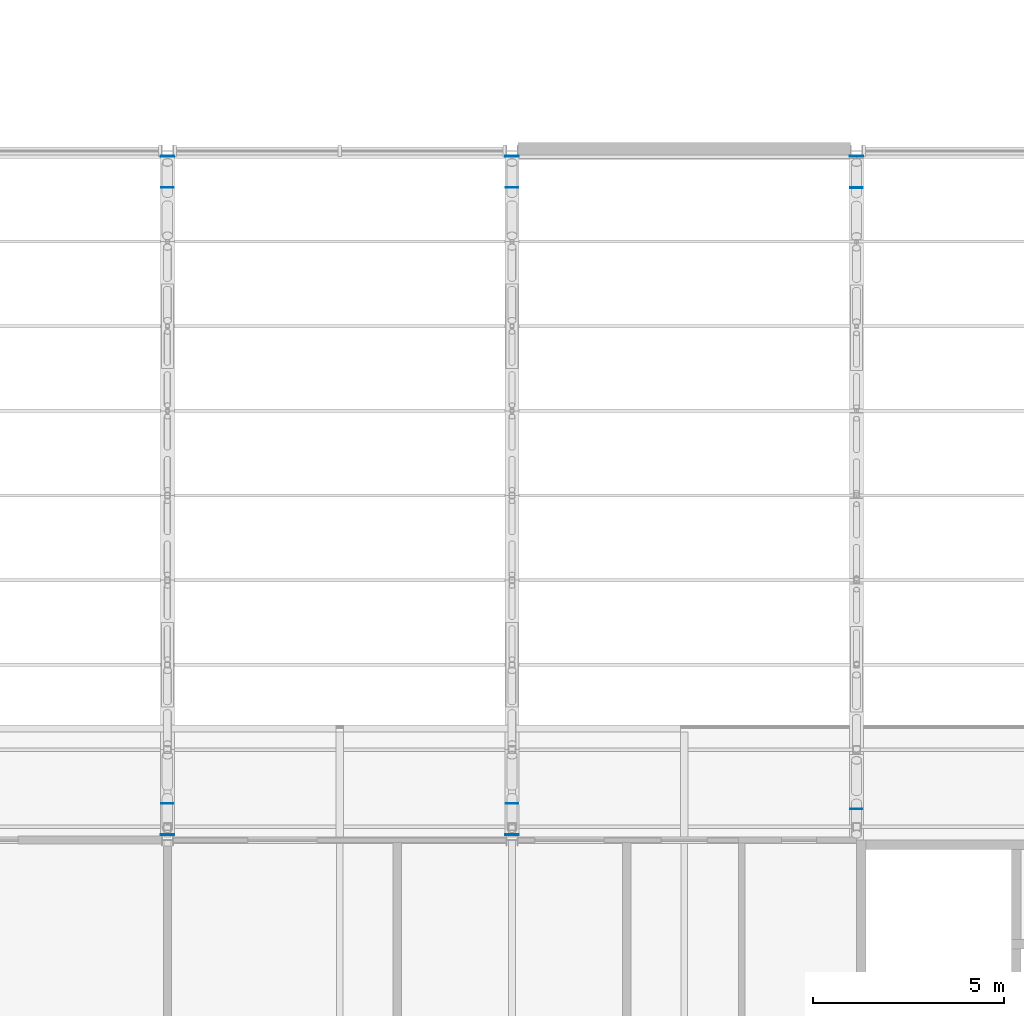
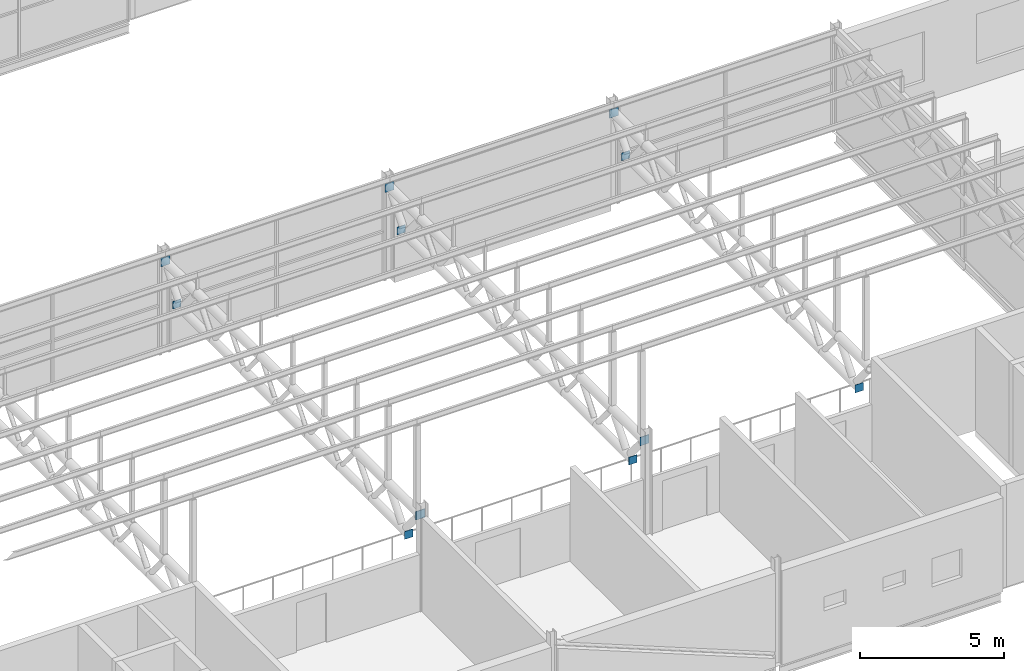
# One storey, part 109 of 138: 11 plates.
"""IFC4 building model written with IfcOpenShell, lengths in metres."""

from ifc_helpers import new_model, si_unit, direction, frame, origin, origin_2d, place, context, subcontext, project, spatial, rectangle, extrude, material, layer, layer_set, type_object, element, save


model = new_model("IFC4")

# Units and contexts
model_context = context("Model", 3, precision=1e-05, world=origin(), true_north=direction((0.0, 1.0)))
body_context = subcontext(model_context, "Body", "Model", "MODEL_VIEW")
ifc_project = project(units=[si_unit("LENGTHUNIT", "METRE"), si_unit("AREAUNIT", "SQUARE_METRE"), si_unit("VOLUMEUNIT", "CUBIC_METRE"), si_unit("PLANEANGLEUNIT", "RADIAN"), si_unit("MASSUNIT", "GRAM", prefix="KILO")], contexts=[model_context])

# Site, building, storey
site_placement = place(None, origin())
site = spatial("IfcSite", under=ifc_project, at=site_placement, CompositionType="ELEMENT")
building_placement = place(site_placement, origin())
building = spatial("IfcBuilding", under=site, at=building_placement, Name="Corbel Yard City Hall", CompositionType="ELEMENT")
storey_placement = place(building_placement, frame((0.0, 0.0, 10.5)))
storey = spatial("IfcBuildingStorey", under=building, at=storey_placement, Name="L02", CompositionType="ELEMENT", Elevation=10.5)

# Plates
ifc_material = material(Name="Steel Grade 300 (300 MPa yield)", Category="steel")
ifc_layer_1 = layer(ifc_material, 0.01611328125)
ifc_layer_set_1 = layer_set([ifc_layer_1], Name="Steel Grade 300 (300 MPa yield)")
plate_type_1 = type_object("IfcPlateType", Name="Truss bottom chord cap plate", PredefinedType="NOTDEFINED", material=ifc_layer_set_1)
for number, where, z_axis, x_axis, name in (
    (1, (135.0, 9.950439453125, 2.42724609375), (0.0, 0.0, 1.0), (1.0, 0.0, 0.0), "Truss bottom chord cap plate EP2"),
    (2, (135.0, 26.049560546875, 2.42724609375), (0.0, 0.0, 1.0), (1.0, 0.0, 0.0), "Truss bottom chord cap plate EP2"),
    (3, (144.0, 9.950439453125, 2.42724609375), (0.0, 0.0, 1.0), (1.0, 0.0, 0.0), "Truss bottom chord cap plate EP2"),
    (4, (144.0, 26.049560546875, 2.42724609375), (0.0, 0.0, 1.0), (1.0, 0.0, 0.0), "Truss bottom chord cap plate EP2"),
    (5, (153.0, 9.807373046875, 2.42724609375), (0.0, 0.0, 1.0), (1.0, 0.0, 0.0), "Truss bottom chord cap plate EP2"),
    (6, (153.0, 26.0400390625, 2.42724609375), (0.0, 0.0, 1.0), (1.0, 0.0, 0.0), "Truss bottom chord cap plate EP2"),
):
    element("IfcPlate", number, at=place(storey_placement, frame(where, z_axis=z_axis, x_axis=x_axis)), inside=storey, type_object=plate_type_1, Name=name, PredefinedType="NOTDEFINED", context=body_context, shape_type="SweptSolid", body=[
        extrude(rectangle(XDim=0.330078125, YDim=0.01611328125, at=origin_2d()), origin(), (0.0, 0.0, 1.0), 0.330078125),
    ])
ifc_layer_2 = layer(ifc_material, 0.02490234375)
ifc_layer_set_2 = layer_set([ifc_layer_2], Name="Steel Grade 300 (300 MPa yield)")
plate_type_2 = type_object("IfcPlateType", Name="Truss top chord end plate", PredefinedType="NOTDEFINED", material=ifc_layer_set_2)
for number, where, z_axis, x_axis, name in (
    (7, (135.0, 9.139892578125, 3.7421875), (0.0, 0.0, 1.0), (1.0, 0.0, 0.0), "Truss top chord end plate EP1"),
    (8, (135.0, 26.860107421875, 3.7421875), (0.0, 0.0, 1.0), (1.0, 0.0, 0.0), "Truss top chord end plate EP1"),
    (9, (144.0, 9.139892578125, 3.7421875), (0.0, 0.0, 1.0), (1.0, 0.0, 0.0), "Truss top chord end plate EP1"),
    (10, (144.0, 26.860107421875, 3.7421875), (0.0, 0.0, 1.0), (1.0, 0.0, 0.0), "Truss top chord end plate EP1"),
    (11, (153.0, 26.860107421875, 3.7421875), (0.0, 0.0, 1.0), (1.0, 0.0, 0.0), "Truss top chord end plate EP1"),
):
    element("IfcPlate", number, at=place(storey_placement, frame(where, z_axis=z_axis, x_axis=x_axis)), inside=storey, type_object=plate_type_2, Name=name, PredefinedType="NOTDEFINED", context=body_context, shape_type="SweptSolid", body=[
        extrude(rectangle(XDim=0.360107421875, YDim=0.02490234375, at=origin_2d()), origin(), (0.0, 0.0, 1.0), 0.360107421875),
    ])

save(model, "model.ifc")
